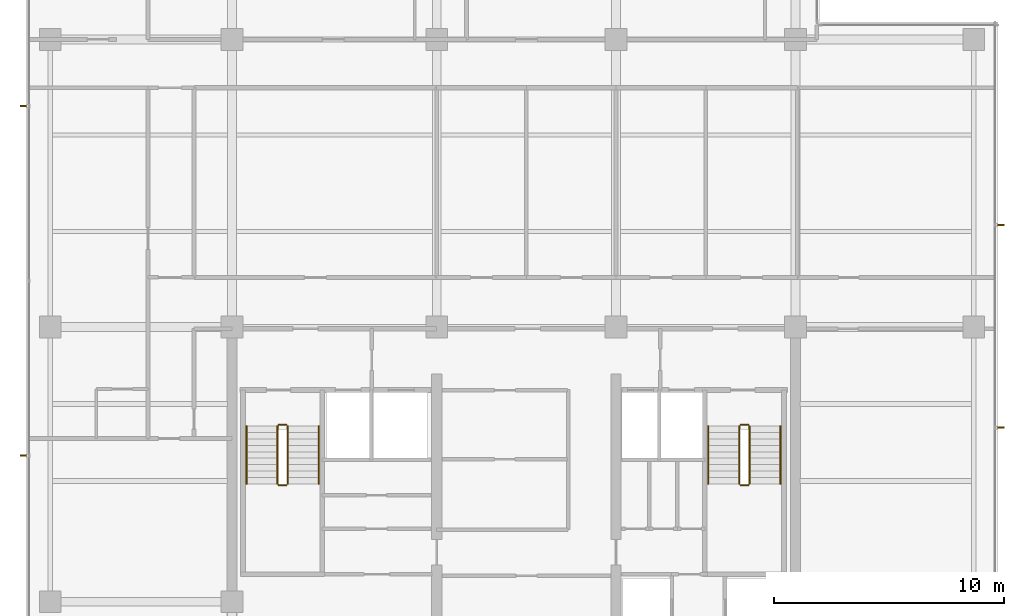
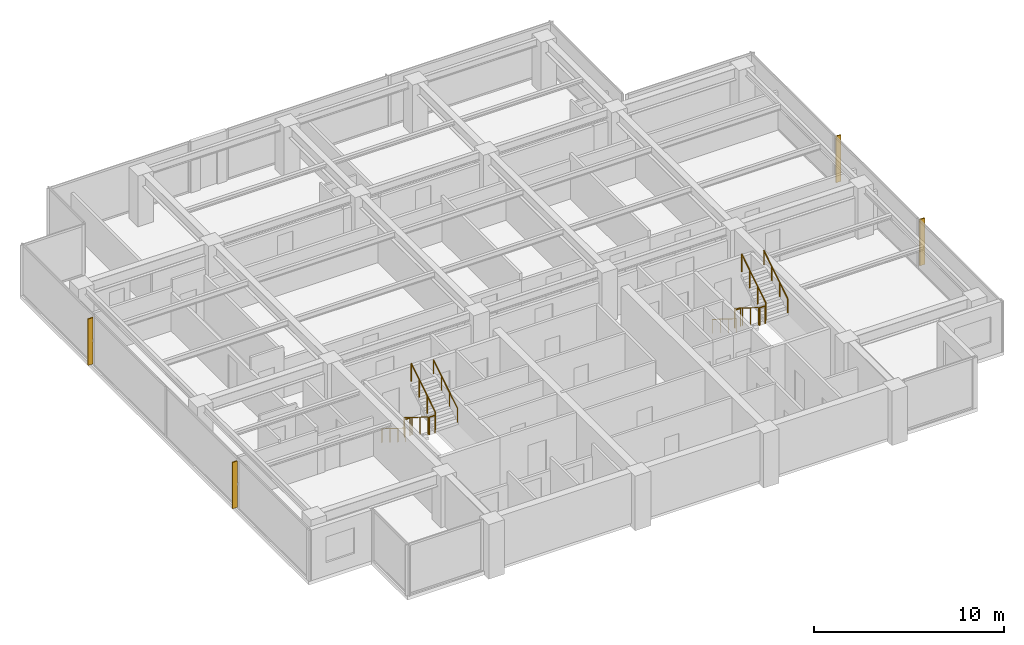
# One storey, part 13 of 14: 12 railings, 4 shading devices.
"""IFC4 building model written with IfcOpenShell, lengths in metres."""

from ifc_helpers import new_model, si_unit, direction, frame, origin, origin_2d, place, context, subcontext, project, spatial, polyline, circle, outline, extrude, material, layer, layer_set, type_object, element, save


model = new_model("IFC4")

# Units and contexts
model_context = context("Model", 3, precision=1e-05, world=origin(), true_north=direction((0.0, 1.0)))
body_context = subcontext(model_context, "Body", "Model", "MODEL_VIEW")
ifc_project = project(units=[si_unit("LENGTHUNIT", "METRE"), si_unit("AREAUNIT", "SQUARE_METRE"), si_unit("VOLUMEUNIT", "CUBIC_METRE"), si_unit("PLANEANGLEUNIT", "RADIAN"), si_unit("MASSUNIT", "GRAM", prefix="KILO")], contexts=[model_context])

# Site, building, storey
site_placement = place(None, origin())
site = spatial("IfcSite", under=ifc_project, at=site_placement, CompositionType="ELEMENT")
building_placement = place(site_placement, origin())
building = spatial("IfcBuilding", under=site, at=building_placement, Name="Qalmaran Belvedere Hotel", CompositionType="ELEMENT")
storey_placement = place(building_placement, frame((0.0, 0.0, 217.89990234375)))
storey = spatial("IfcBuildingStorey", under=building, at=storey_placement, Name="L55", CompositionType="ELEMENT", Elevation=217.89990234375)

# Shading devices
ifc_material_1 = material(Name="Anodised Bronze Aluminium", Category="aluminium")
ifc_layer = layer(ifc_material_1, 0.06494140625, Name="Anodised Bronze Aluminium")
ifc_layer_set = layer_set([ifc_layer], Name="Anodised Bronze Aluminium")
shading_device_type = type_object("IfcShadingDeviceType", Name="FIN-BRNZ-300", PredefinedType="USERDEFINED", material=ifc_layer_set)
shading_device_1_placement = place(storey_placement, frame((0.0, 0.0, 0.16015625)))
element("IfcShadingDevice", 1, at=shading_device_1_placement, inside=storey, type_object=shading_device_type, Name="L55 Bronze Fin 1", ObjectType="FIN", PredefinedType="USERDEFINED", context=body_context, shape_type="SweptSolid", body=[
    extrude(outline(polyline([(53.5673828125, 16.084228515625), (53.867431640625, 16.084228515625), (53.867431640625, 16.149169921875), (53.5673828125, 16.149169921875), (53.5673828125, 16.084228515625)])), origin(), (0.0, 0.0, 1.0), 2.97998046875),
])
shading_device_2_placement = place(storey_placement, frame((0.0, 0.0, 0.16015625)))
element("IfcShadingDevice", 2, at=shading_device_2_placement, inside=storey, type_object=shading_device_type, Name="L55 Bronze Fin 2", ObjectType="FIN", PredefinedType="USERDEFINED", context=body_context, shape_type="SweptSolid", body=[
    extrude(outline(polyline([(53.5673828125, 24.90087890625), (53.867431640625, 24.90087890625), (53.867431640625, 24.9658203125), (53.5673828125, 24.9658203125), (53.5673828125, 24.90087890625)])), origin(), (0.0, 0.0, 1.0), 2.97998046875),
])
shading_device_3_placement = place(storey_placement, frame((0.0, 0.0, 0.16015625)))
element("IfcShadingDevice", 3, at=shading_device_3_placement, inside=storey, type_object=shading_device_type, Name="L55 Bronze Fin 1", ObjectType="FIN", PredefinedType="USERDEFINED", context=body_context, shape_type="SweptSolid", body=[
    extrude(outline(polyline([(11.382568359375, 30.132568359375), (11.08251953125, 30.132568359375), (11.08251953125, 30.0673828125), (11.382568359375, 30.0673828125), (11.382568359375, 30.132568359375)])), origin(), (0.0, 0.0, 1.0), 2.97998046875),
])
shading_device_4_placement = place(storey_placement, frame((0.0, 0.0, 0.16015625)))
element("IfcShadingDevice", 4, at=shading_device_4_placement, inside=storey, type_object=shading_device_type, Name="L55 Bronze Fin 3", ObjectType="FIN", PredefinedType="USERDEFINED", context=body_context, shape_type="SweptSolid", body=[
    extrude(outline(polyline([(11.382568359375, 14.9326171875), (11.08251953125, 14.9326171875), (11.08251953125, 14.867431640625), (11.382568359375, 14.867431640625), (11.382568359375, 14.9326171875)])), origin(), (0.0, 0.0, 1.0), 2.97998046875),
])

# Railings
ifc_material_2 = material(Name="Stainless Steel 1.4401", Category="steel")
railing_type_1 = type_object("IfcRailingType", Name="RLG-STAIR-GUARD-1150", PredefinedType="GUARDRAIL", material=ifc_material_2)
railing_1_placement = place(storey_placement, frame((22.280029296875, 16.18994140625, 0.175048828125)))
element("IfcRailing", 5, at=railing_1_placement, inside=storey, type_object=railing_type_1, Name="L55 ST-1 stair guard 1", PredefinedType="GUARDRAIL", context=body_context, shape_type="SweptSolid", body=[
    extrude(circle(Radius=0.02392578125, at=origin_2d()), frame((0.0, 0.0, 1.1259765625), z_axis=(0.0, -0.848007534815, 0.529984170421), x_axis=(1.0, 0.0, 0.0)), (0.0, 0.0, 1.0), 2.9716796875),
    extrude(circle(Radius=0.02099609375, at=origin_2d()), origin(), (0.0, 0.0, 1.0), 1.101806640625),
    extrude(circle(Radius=0.02099609375, at=origin_2d()), frame((0.0, -0.840087890625, 0.52490234375)), (0.0, 0.0, 1.0), 1.101806640625),
    extrude(circle(Radius=0.02099609375, at=origin_2d()), frame((0.0, -1.679931640625, 1.050048828125)), (0.0, 0.0, 1.0), 1.101806640625),
    extrude(circle(Radius=0.02099609375, at=origin_2d()), frame((0.0, -2.52001953125, 1.574951171875)), (0.0, 0.0, 1.0), 1.101806640625),
])
railing_2_placement = place(storey_placement, frame((22.330078125, 13.6201171875, 1.75)))
element("IfcRailing", 6, at=railing_2_placement, inside=storey, type_object=railing_type_1, Name="L55 ST-1 stair guard 2", PredefinedType="GUARDRAIL", context=body_context, shape_type="SweptSolid", body=[
    extrude(circle(Radius=0.02392578125, at=origin_2d()), frame((0.0, 0.0, 1.1259765625), z_axis=(1.0, 0.0, 0.0), x_axis=(0.0, 1.0, 0.0)), (0.0, 0.0, 1.0), 0.33984375),
    extrude(circle(Radius=0.02099609375, at=origin_2d()), origin(), (0.0, 0.0, 1.0), 1.101806640625),
    extrude(circle(Radius=0.02099609375, at=origin_2d()), frame((0.33984375, 0.0, 0.0)), (0.0, 0.0, 1.0), 1.101806640625),
])
railing_3_placement = place(storey_placement, frame((22.719970703125, 13.669921875, 1.925048828125)))
element("IfcRailing", 7, at=railing_3_placement, inside=storey, type_object=railing_type_1, Name="L55 ST-1 stair guard 3", PredefinedType="GUARDRAIL", context=body_context, shape_type="SweptSolid", body=[
    extrude(circle(Radius=0.02392578125, at=origin_2d()), frame((0.0, 0.0, 1.1259765625), z_axis=(0.0, 0.848007534815, 0.529984170421), x_axis=(-1.0, 0.0, 0.0)), (0.0, 0.0, 1.0), 2.9716796875),
    extrude(circle(Radius=0.02099609375, at=origin_2d()), origin(), (0.0, 0.0, 1.0), 1.101806640625),
    extrude(circle(Radius=0.02099609375, at=origin_2d()), frame((0.0, 0.840087890625, 0.52490234375)), (0.0, 0.0, 1.0), 1.101806640625),
    extrude(circle(Radius=0.02099609375, at=origin_2d()), frame((0.0, 1.679931640625, 1.050048828125)), (0.0, 0.0, 1.0), 1.101806640625),
    extrude(circle(Radius=0.02099609375, at=origin_2d()), frame((0.0, 2.52001953125, 1.574951171875)), (0.0, 0.0, 1.0), 1.101806640625),
])
railing_4_placement = place(storey_placement, frame((22.330078125, 16.239990234375, 0.0)))
element("IfcRailing", 8, at=railing_4_placement, inside=storey, type_object=railing_type_1, Name="L55 ST-1 stair guard 4", PredefinedType="GUARDRAIL", context=body_context, shape_type="SweptSolid", body=[
    extrude(circle(Radius=0.02392578125, at=origin_2d()), frame((0.0, 0.0, 1.1259765625), z_axis=(1.0, 0.0, 0.0), x_axis=(0.0, 1.0, 0.0)), (0.0, 0.0, 1.0), 0.33984375),
    extrude(circle(Radius=0.02099609375, at=origin_2d()), origin(), (0.0, 0.0, 1.0), 1.101806640625),
    extrude(circle(Radius=0.02099609375, at=origin_2d()), frame((0.33984375, 0.0, 0.0)), (0.0, 0.0, 1.0), 1.101806640625),
])
railing_5_placement = place(storey_placement, frame((42.360107421875, 16.18994140625, 0.175048828125)))
element("IfcRailing", 9, at=railing_5_placement, inside=storey, type_object=railing_type_1, Name="L55 ST-2 stair guard 1", PredefinedType="GUARDRAIL", context=body_context, shape_type="SweptSolid", body=[
    extrude(circle(Radius=0.02392578125, at=origin_2d()), frame((0.0, 0.0, 1.1259765625), z_axis=(0.0, -0.848007534815, 0.529984170421), x_axis=(1.0, 0.0, 0.0)), (0.0, 0.0, 1.0), 2.9716796875),
    extrude(circle(Radius=0.02099609375, at=origin_2d()), origin(), (0.0, 0.0, 1.0), 1.101806640625),
    extrude(circle(Radius=0.02099609375, at=origin_2d()), frame((0.0, -0.840087890625, 0.52490234375)), (0.0, 0.0, 1.0), 1.101806640625),
    extrude(circle(Radius=0.02099609375, at=origin_2d()), frame((0.0, -1.679931640625, 1.050048828125)), (0.0, 0.0, 1.0), 1.101806640625),
    extrude(circle(Radius=0.02099609375, at=origin_2d()), frame((0.0, -2.52001953125, 1.574951171875)), (0.0, 0.0, 1.0), 1.101806640625),
])
railing_6_placement = place(storey_placement, frame((42.409912109375, 13.6201171875, 1.75)))
element("IfcRailing", 10, at=railing_6_placement, inside=storey, type_object=railing_type_1, Name="L55 ST-2 stair guard 2", PredefinedType="GUARDRAIL", context=body_context, shape_type="SweptSolid", body=[
    extrude(circle(Radius=0.02392578125, at=origin_2d()), frame((0.0, 0.0, 1.1259765625), z_axis=(1.0, 0.0, 0.0), x_axis=(0.0, 1.0, 0.0)), (0.0, 0.0, 1.0), 0.340087890625),
    extrude(circle(Radius=0.02099609375, at=origin_2d()), origin(), (0.0, 0.0, 1.0), 1.101806640625),
    extrude(circle(Radius=0.02099609375, at=origin_2d()), frame((0.340087890625, 0.0, 0.0)), (0.0, 0.0, 1.0), 1.101806640625),
])
railing_7_placement = place(storey_placement, frame((42.800048828125, 13.669921875, 1.925048828125)))
element("IfcRailing", 11, at=railing_7_placement, inside=storey, type_object=railing_type_1, Name="L55 ST-2 stair guard 3", PredefinedType="GUARDRAIL", context=body_context, shape_type="SweptSolid", body=[
    extrude(circle(Radius=0.02392578125, at=origin_2d()), frame((0.0, 0.0, 1.1259765625), z_axis=(0.0, 0.848007534815, 0.529984170421), x_axis=(-1.0, 0.0, 0.0)), (0.0, 0.0, 1.0), 2.9716796875),
    extrude(circle(Radius=0.02099609375, at=origin_2d()), origin(), (0.0, 0.0, 1.0), 1.101806640625),
    extrude(circle(Radius=0.02099609375, at=origin_2d()), frame((0.0, 0.840087890625, 0.52490234375)), (0.0, 0.0, 1.0), 1.101806640625),
    extrude(circle(Radius=0.02099609375, at=origin_2d()), frame((0.0, 1.679931640625, 1.050048828125)), (0.0, 0.0, 1.0), 1.101806640625),
    extrude(circle(Radius=0.02099609375, at=origin_2d()), frame((0.0, 2.52001953125, 1.574951171875)), (0.0, 0.0, 1.0), 1.101806640625),
])
railing_8_placement = place(storey_placement, frame((42.409912109375, 16.239990234375, 0.0)))
element("IfcRailing", 12, at=railing_8_placement, inside=storey, type_object=railing_type_1, Name="L55 ST-2 stair guard 4", PredefinedType="GUARDRAIL", context=body_context, shape_type="SweptSolid", body=[
    extrude(circle(Radius=0.02392578125, at=origin_2d()), frame((0.0, 0.0, 1.1259765625), z_axis=(1.0, 0.0, 0.0), x_axis=(0.0, 1.0, 0.0)), (0.0, 0.0, 1.0), 0.340087890625),
    extrude(circle(Radius=0.02099609375, at=origin_2d()), origin(), (0.0, 0.0, 1.0), 1.101806640625),
    extrude(circle(Radius=0.02099609375, at=origin_2d()), frame((0.340087890625, 0.0, 0.0)), (0.0, 0.0, 1.0), 1.101806640625),
])
railing_type_2 = type_object("IfcRailingType", Name="RLG-STAIR-HAND-910", PredefinedType="HANDRAIL", material=ifc_material_2)
railing_9_placement = place(storey_placement, frame((20.929931640625, 16.18994140625, 0.175048828125)))
element("IfcRailing", 13, at=railing_9_placement, inside=storey, type_object=railing_type_2, Name="L55 ST-1 stair handrail 1", PredefinedType="HANDRAIL", context=body_context, shape_type="SweptSolid", body=[
    extrude(circle(Radius=0.02392578125, at=origin_2d()), frame((0.0, 0.0, 0.8857421875), z_axis=(0.0, -0.848007534815, 0.529984170421), x_axis=(1.0, 0.0, 0.0)), (0.0, 0.0, 1.0), 2.9716796875),
    extrude(circle(Radius=0.02099609375, at=origin_2d()), origin(), (0.0, 0.0, 1.0), 0.86181640625),
    extrude(circle(Radius=0.02099609375, at=origin_2d()), frame((0.0, -0.840087890625, 0.52490234375)), (0.0, 0.0, 1.0), 0.86181640625),
    extrude(circle(Radius=0.02099609375, at=origin_2d()), frame((0.0, -1.679931640625, 1.050048828125)), (0.0, 0.0, 1.0), 0.86181640625),
    extrude(circle(Radius=0.02099609375, at=origin_2d()), frame((0.0, -2.52001953125, 1.574951171875)), (0.0, 0.0, 1.0), 0.86181640625),
])
railing_10_placement = place(storey_placement, frame((24.070068359375, 13.669921875, 1.925048828125)))
element("IfcRailing", 14, at=railing_10_placement, inside=storey, type_object=railing_type_2, Name="L55 ST-1 stair handrail 2", PredefinedType="HANDRAIL", context=body_context, shape_type="SweptSolid", body=[
    extrude(circle(Radius=0.02392578125, at=origin_2d()), frame((0.0, 0.0, 0.8857421875), z_axis=(0.0, 0.848007534815, 0.529984170421), x_axis=(-1.0, 0.0, 0.0)), (0.0, 0.0, 1.0), 2.9716796875),
    extrude(circle(Radius=0.02099609375, at=origin_2d()), origin(), (0.0, 0.0, 1.0), 0.86181640625),
    extrude(circle(Radius=0.02099609375, at=origin_2d()), frame((0.0, 0.840087890625, 0.52490234375)), (0.0, 0.0, 1.0), 0.86181640625),
    extrude(circle(Radius=0.02099609375, at=origin_2d()), frame((0.0, 1.679931640625, 1.050048828125)), (0.0, 0.0, 1.0), 0.86181640625),
    extrude(circle(Radius=0.02099609375, at=origin_2d()), frame((0.0, 2.52001953125, 1.574951171875)), (0.0, 0.0, 1.0), 0.86181640625),
])
railing_11_placement = place(storey_placement, frame((41.010009765625, 16.18994140625, 0.175048828125)))
element("IfcRailing", 15, at=railing_11_placement, inside=storey, type_object=railing_type_2, Name="L55 ST-2 stair handrail 1", PredefinedType="HANDRAIL", context=body_context, shape_type="SweptSolid", body=[
    extrude(circle(Radius=0.02392578125, at=origin_2d()), frame((0.0, 0.0, 0.8857421875), z_axis=(0.0, -0.848007534815, 0.529984170421), x_axis=(1.0, 0.0, 0.0)), (0.0, 0.0, 1.0), 2.9716796875),
    extrude(circle(Radius=0.02099609375, at=origin_2d()), origin(), (0.0, 0.0, 1.0), 0.86181640625),
    extrude(circle(Radius=0.02099609375, at=origin_2d()), frame((0.0, -0.840087890625, 0.52490234375)), (0.0, 0.0, 1.0), 0.86181640625),
    extrude(circle(Radius=0.02099609375, at=origin_2d()), frame((0.0, -1.679931640625, 1.050048828125)), (0.0, 0.0, 1.0), 0.86181640625),
    extrude(circle(Radius=0.02099609375, at=origin_2d()), frame((0.0, -2.52001953125, 1.574951171875)), (0.0, 0.0, 1.0), 0.86181640625),
])
railing_12_placement = place(storey_placement, frame((44.14990234375, 13.669921875, 1.925048828125)))
element("IfcRailing", 16, at=railing_12_placement, inside=storey, type_object=railing_type_2, Name="L55 ST-2 stair handrail 2", PredefinedType="HANDRAIL", context=body_context, shape_type="SweptSolid", body=[
    extrude(circle(Radius=0.02392578125, at=origin_2d()), frame((0.0, 0.0, 0.8857421875), z_axis=(0.0, 0.848007534815, 0.529984170421), x_axis=(-1.0, 0.0, 0.0)), (0.0, 0.0, 1.0), 2.9716796875),
    extrude(circle(Radius=0.02099609375, at=origin_2d()), origin(), (0.0, 0.0, 1.0), 0.86181640625),
    extrude(circle(Radius=0.02099609375, at=origin_2d()), frame((0.0, 0.840087890625, 0.52490234375)), (0.0, 0.0, 1.0), 0.86181640625),
    extrude(circle(Radius=0.02099609375, at=origin_2d()), frame((0.0, 1.679931640625, 1.050048828125)), (0.0, 0.0, 1.0), 0.86181640625),
    extrude(circle(Radius=0.02099609375, at=origin_2d()), frame((0.0, 2.52001953125, 1.574951171875)), (0.0, 0.0, 1.0), 0.86181640625),
])

save(model, "model.ifc")
